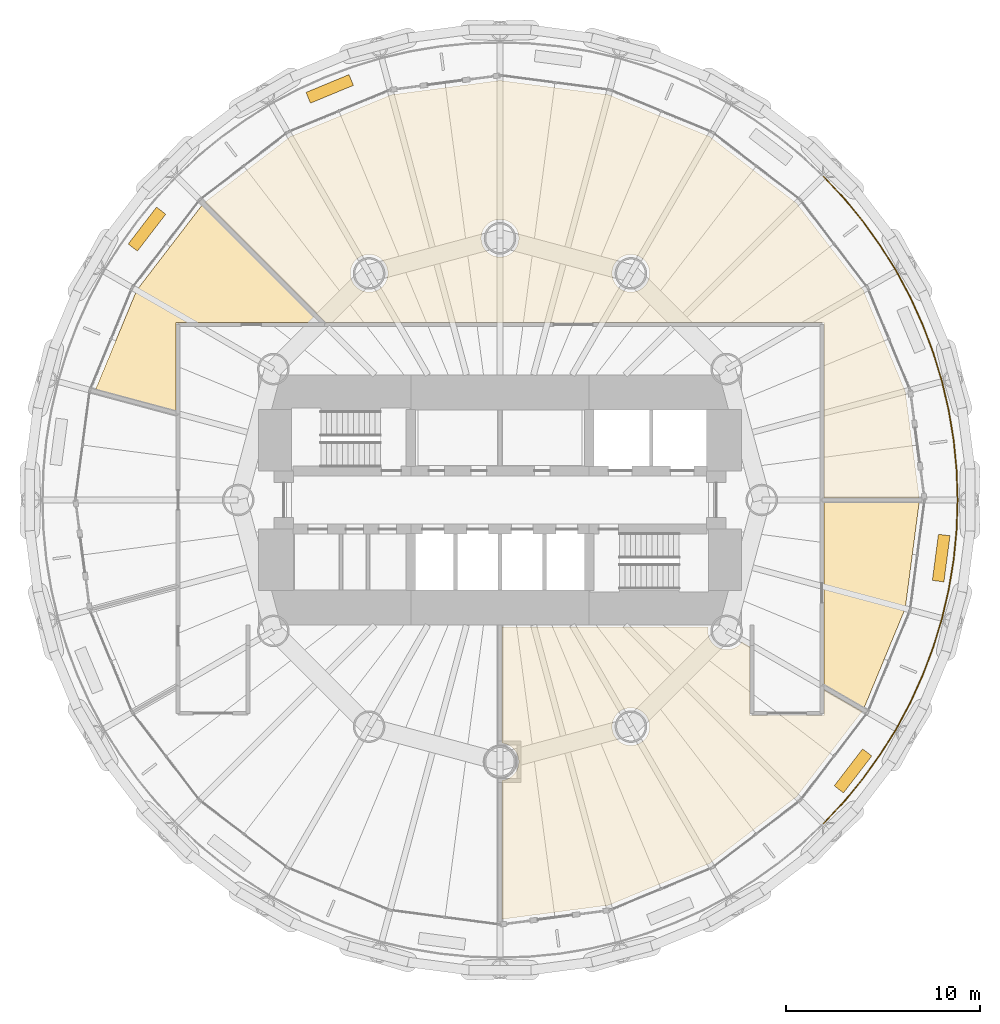
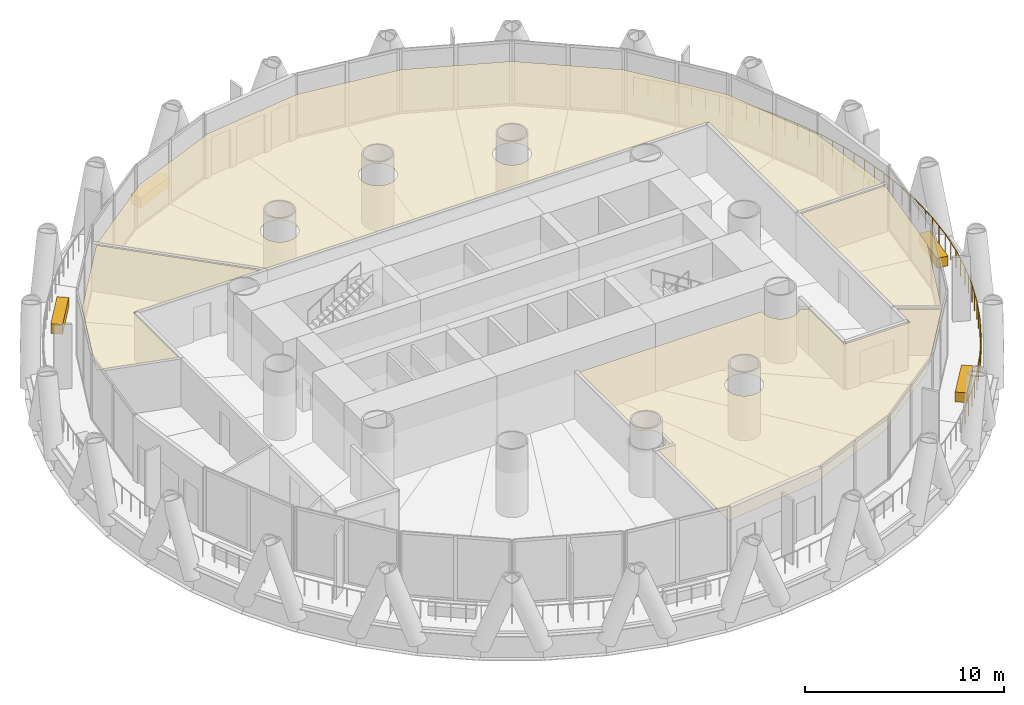
# One storey, part 14 of 15: 8 coverings, 1 railing.
"""IFC4 building model written with IfcOpenShell, lengths in metres."""

from ifc_helpers import new_model, si_unit, direction, frame, origin, origin_2d, place, context, subcontext, project, spatial, polyline, rectangle, circle, outline, extrude, material, layer, layer_set, type_object, element, save


model = new_model("IFC4")

# Units and contexts
model_context = context("Model", 3, precision=1e-05, world=origin(), true_north=direction((0.0, 1.0)))
body_context = subcontext(model_context, "Body", "Model", "MODEL_VIEW")
ifc_project = project(units=[si_unit("LENGTHUNIT", "METRE"), si_unit("AREAUNIT", "SQUARE_METRE"), si_unit("VOLUMEUNIT", "CUBIC_METRE"), si_unit("PLANEANGLEUNIT", "RADIAN"), si_unit("MASSUNIT", "GRAM", prefix="KILO")], contexts=[model_context])

# Site, building, storey
site_placement = place(None, origin())
site = spatial("IfcSite", under=ifc_project, at=site_placement, CompositionType="ELEMENT")
building_placement = place(site_placement, origin())
building = spatial("IfcBuilding", under=site, at=building_placement, Name="Qaws Media Tower", CompositionType="ELEMENT")
storey_placement = place(building_placement, frame((0.0, 0.0, 189.800048828125)))
storey = spatial("IfcBuildingStorey", under=building, at=storey_placement, Name="L43", CompositionType="ELEMENT", Elevation=189.800048828125)

# Railing
ifc_material_1 = material(Name="Stainless steel and glass guard", Category="steel")
railing_type = type_object("IfcRailingType", Name="Balcony guard 1100", PredefinedType="GUARDRAIL", material=ifc_material_1)
railing_placement = place(storey_placement, frame((76.687744140625, 33.312255859375, 0.0)))
element("IfcRailing", 1, at=railing_placement, inside=storey, type_object=railing_type, Name="GR1 balcony guard L43-4", PredefinedType="GUARDRAIL", context=body_context, shape_type="SweptSolid", body=[
    extrude(circle(Radius=0.02392578125, at=origin_2d()), frame((0.0, 0.0, 1.076171875), z_axis=(0.683567678195, 0.72988713465, 0.0), x_axis=(-0.72988713465, 0.683567678195, 0.0)), (0.0, 0.0, 1.0), 1.54443359375),
    extrude(circle(Radius=0.02392578125, at=origin_2d()), frame((1.0556640625, 1.127197265625, 1.076171875), z_axis=(0.634382016115, 0.773019700674, 0.0), x_axis=(-0.773019700674, 0.634382016115, 0.0)), (0.0, 0.0, 1.0), 1.54443359375),
    extrude(circle(Radius=0.02392578125, at=origin_2d()), frame((2.035400390625, 2.321044921875, 1.076171875), z_axis=(0.58258335011, 0.812770964156, 0.0), x_axis=(-0.812770964156, 0.58258335011, 0.0)), (0.0, 0.0, 1.0), 1.544189453125),
    extrude(circle(Radius=0.02392578125, at=origin_2d()), frame((2.93505859375, 3.576171875, 1.076171875), z_axis=(0.528008081501, 0.849239345456, 0.0), x_axis=(-0.849239345456, 0.528008081501, 0.0)), (0.0, 0.0, 1.0), 1.54443359375),
    extrude(circle(Radius=0.02392578125, at=origin_2d()), frame((3.75048828125, 4.8876953125, 1.076171875), z_axis=(0.471392110461, 0.881923737177, 0.0), x_axis=(-0.881923737177, 0.471392110461, 0.0)), (0.0, 0.0, 1.0), 1.54443359375),
    extrude(circle(Radius=0.02392578125, at=origin_2d()), frame((4.478515625, 6.249755859375, 1.076171875), z_axis=(0.412611510873, 0.91090709795, 0.0), x_axis=(-0.91090709795, 0.412611510873, 0.0)), (0.0, 0.0, 1.0), 1.54443359375),
    extrude(circle(Radius=0.02392578125, at=origin_2d()), frame((5.11572265625, 7.656494140625, 1.076171875), z_axis=(0.352370482159, 0.935860589673, 0.0), x_axis=(-0.935860589673, 0.352370482159, 0.0)), (0.0, 0.0, 1.0), 1.54443359375),
    extrude(circle(Radius=0.02392578125, at=origin_2d()), frame((5.659912109375, 9.101806640625, 1.076171875), z_axis=(0.290261878945, 0.956947251227, 0.0), x_axis=(-0.956947251227, 0.290261878945, 0.0)), (0.0, 0.0, 1.0), 1.544189453125),
    extrude(circle(Radius=0.02392578125, at=origin_2d()), frame((6.108154296875, 10.57958984375, 1.076171875), z_axis=(0.227029696794, 0.973887835828, 0.0), x_axis=(-0.973887835828, 0.227029696794, 0.0)), (0.0, 0.0, 1.0), 1.544189453125),
    extrude(circle(Radius=0.02392578125, at=origin_2d()), frame((6.458740234375, 12.08349609375, 1.076171875), z_axis=(0.162963426156, 0.986632110635, 0.0), x_axis=(-0.986632110635, 0.162963426156, 0.0)), (0.0, 0.0, 1.0), 1.544677734375),
    extrude(circle(Radius=0.02392578125, at=origin_2d()), frame((6.71044921875, 13.607421875, 1.076171875), z_axis=(0.098016610467, 0.995184778859, 0.0), x_axis=(-0.995184778859, 0.098016610467, 0.0)), (0.0, 0.0, 1.0), 1.544189453125),
    extrude(circle(Radius=0.02392578125, at=origin_2d()), frame((6.86181640625, 15.144287109375, 1.076171875), z_axis=(0.032725265376, 0.999464385061, 0.0), x_axis=(-0.999464385061, 0.032725265376, 0.0)), (0.0, 0.0, 1.0), 1.544189453125),
    extrude(circle(Radius=0.02392578125, at=origin_2d()), frame((6.912353515625, 16.687744140625, 1.076171875), z_axis=(-0.032725265376, 0.999464385061, 0.0), x_axis=(-0.999464385061, -0.032725265376, 0.0)), (0.0, 0.0, 1.0), 1.544189453125),
    extrude(circle(Radius=0.02392578125, at=origin_2d()), frame((6.86181640625, 18.231201171875, 1.076171875), z_axis=(-0.098016610467, 0.995184778859, 0.0), x_axis=(-0.995184778859, -0.098016610467, 0.0)), (0.0, 0.0, 1.0), 1.544189453125),
    extrude(circle(Radius=0.02392578125, at=origin_2d()), frame((6.71044921875, 19.76806640625, 1.076171875), z_axis=(-0.162963426156, 0.986632110635, 0.0), x_axis=(-0.986632110635, -0.162963426156, 0.0)), (0.0, 0.0, 1.0), 1.544677734375),
    extrude(circle(Radius=0.02392578125, at=origin_2d()), frame((6.458740234375, 21.2919921875, 1.076171875), z_axis=(-0.227029696794, 0.973887835828, 0.0), x_axis=(-0.973887835828, -0.227029696794, 0.0)), (0.0, 0.0, 1.0), 1.544189453125),
    extrude(circle(Radius=0.02392578125, at=origin_2d()), frame((6.108154296875, 22.7958984375, 1.076171875), z_axis=(-0.290261878945, 0.956947251227, 0.0), x_axis=(-0.956947251227, -0.290261878945, 0.0)), (0.0, 0.0, 1.0), 1.544189453125),
    extrude(circle(Radius=0.02392578125, at=origin_2d()), frame((5.659912109375, 24.273681640625, 1.076171875), z_axis=(-0.352370482159, 0.935860589673, 0.0), x_axis=(-0.935860589673, -0.352370482159, 0.0)), (0.0, 0.0, 1.0), 1.54443359375),
    extrude(circle(Radius=0.02392578125, at=origin_2d()), frame((5.11572265625, 25.718994140625, 1.076171875), z_axis=(-0.412611510873, 0.91090709795, 0.0), x_axis=(-0.91090709795, -0.412611510873, 0.0)), (0.0, 0.0, 1.0), 1.54443359375),
    extrude(circle(Radius=0.02392578125, at=origin_2d()), frame((4.478515625, 27.125732421875, 1.076171875), z_axis=(-0.471392110461, 0.881923737177, 0.0), x_axis=(-0.881923737177, -0.471392110461, 0.0)), (0.0, 0.0, 1.0), 1.54443359375),
    extrude(circle(Radius=0.02392578125, at=origin_2d()), frame((3.75048828125, 28.48779296875, 1.076171875), z_axis=(-0.528008081501, 0.849239345456, 0.0), x_axis=(-0.849239345456, -0.528008081501, 0.0)), (0.0, 0.0, 1.0), 1.54443359375),
    extrude(circle(Radius=0.02392578125, at=origin_2d()), frame((2.93505859375, 29.79931640625, 1.076171875), z_axis=(-0.58258335011, 0.812770964156, 0.0), x_axis=(-0.812770964156, -0.58258335011, 0.0)), (0.0, 0.0, 1.0), 1.544189453125),
    extrude(circle(Radius=0.02392578125, at=origin_2d()), frame((2.035400390625, 31.054443359375, 1.076171875), z_axis=(-0.634382016115, 0.773019700674, 0.0), x_axis=(-0.773019700674, -0.634382016115, 0.0)), (0.0, 0.0, 1.0), 1.54443359375),
    extrude(circle(Radius=0.02392578125, at=origin_2d()), frame((1.0556640625, 32.248291015625, 1.076171875), z_axis=(-0.683567678195, 0.72988713465, 0.0), x_axis=(-0.72988713465, -0.683567678195, 0.0)), (0.0, 0.0, 1.0), 1.54443359375),
    extrude(circle(Radius=0.02099609375, at=origin_2d()), origin(), (0.0, 0.0, 1.0), 1.052001953125),
    extrude(circle(Radius=0.02099609375, at=origin_2d()), frame((0.52783203125, 0.5634765625, 0.0)), (0.0, 0.0, 1.0), 1.052001953125),
    extrude(circle(Radius=0.02099609375, at=origin_2d()), frame((1.0556640625, 1.127197265625, 0.0)), (0.0, 0.0, 1.0), 1.052001953125),
    extrude(circle(Radius=0.02099609375, at=origin_2d()), frame((1.54541015625, 1.72412109375, 0.0)), (0.0, 0.0, 1.0), 1.052001953125),
    extrude(circle(Radius=0.02099609375, at=origin_2d()), frame((2.035400390625, 2.321044921875, 0.0)), (0.0, 0.0, 1.0), 1.052001953125),
    extrude(circle(Radius=0.02099609375, at=origin_2d()), frame((2.4853515625, 2.94873046875, 0.0)), (0.0, 0.0, 1.0), 1.052001953125),
    extrude(circle(Radius=0.02099609375, at=origin_2d()), frame((2.93505859375, 3.576171875, 0.0)), (0.0, 0.0, 1.0), 1.052001953125),
    extrude(circle(Radius=0.02099609375, at=origin_2d()), frame((3.3427734375, 4.23193359375, 0.0)), (0.0, 0.0, 1.0), 1.052001953125),
    extrude(circle(Radius=0.02099609375, at=origin_2d()), frame((3.75048828125, 4.8876953125, 0.0)), (0.0, 0.0, 1.0), 1.052001953125),
    extrude(circle(Radius=0.02099609375, at=origin_2d()), frame((4.114501953125, 5.56884765625, 0.0)), (0.0, 0.0, 1.0), 1.052001953125),
    extrude(circle(Radius=0.02099609375, at=origin_2d()), frame((4.478515625, 6.249755859375, 0.0)), (0.0, 0.0, 1.0), 1.052001953125),
    extrude(circle(Radius=0.02099609375, at=origin_2d()), frame((4.797119140625, 6.953125, 0.0)), (0.0, 0.0, 1.0), 1.052001953125),
    extrude(circle(Radius=0.02099609375, at=origin_2d()), frame((5.11572265625, 7.656494140625, 0.0)), (0.0, 0.0, 1.0), 1.052001953125),
    extrude(circle(Radius=0.02099609375, at=origin_2d()), frame((5.3876953125, 8.379150390625, 0.0)), (0.0, 0.0, 1.0), 1.052001953125),
    extrude(circle(Radius=0.02099609375, at=origin_2d()), frame((5.659912109375, 9.101806640625, 0.0)), (0.0, 0.0, 1.0), 1.052001953125),
    extrude(circle(Radius=0.02099609375, at=origin_2d()), frame((5.884033203125, 9.8408203125, 0.0)), (0.0, 0.0, 1.0), 1.052001953125),
    extrude(circle(Radius=0.02099609375, at=origin_2d()), frame((6.108154296875, 10.57958984375, 0.0)), (0.0, 0.0, 1.0), 1.052001953125),
    extrude(circle(Radius=0.02099609375, at=origin_2d()), frame((6.283447265625, 11.33154296875, 0.0)), (0.0, 0.0, 1.0), 1.052001953125),
    extrude(circle(Radius=0.02099609375, at=origin_2d()), frame((6.458740234375, 12.08349609375, 0.0)), (0.0, 0.0, 1.0), 1.052001953125),
    extrude(circle(Radius=0.02099609375, at=origin_2d()), frame((6.58447265625, 12.845458984375, 0.0)), (0.0, 0.0, 1.0), 1.052001953125),
    extrude(circle(Radius=0.02099609375, at=origin_2d()), frame((6.71044921875, 13.607421875, 0.0)), (0.0, 0.0, 1.0), 1.052001953125),
    extrude(circle(Radius=0.02099609375, at=origin_2d()), frame((6.7861328125, 14.3759765625, 0.0)), (0.0, 0.0, 1.0), 1.052001953125),
    extrude(circle(Radius=0.02099609375, at=origin_2d()), frame((6.86181640625, 15.144287109375, 0.0)), (0.0, 0.0, 1.0), 1.052001953125),
    extrude(circle(Radius=0.02099609375, at=origin_2d()), frame((6.88720703125, 15.916015625, 0.0)), (0.0, 0.0, 1.0), 1.052001953125),
    extrude(circle(Radius=0.02099609375, at=origin_2d()), frame((6.912353515625, 16.687744140625, 0.0)), (0.0, 0.0, 1.0), 1.052001953125),
    extrude(circle(Radius=0.02099609375, at=origin_2d()), frame((6.88720703125, 17.45947265625, 0.0)), (0.0, 0.0, 1.0), 1.052001953125),
    extrude(circle(Radius=0.02099609375, at=origin_2d()), frame((6.86181640625, 18.231201171875, 0.0)), (0.0, 0.0, 1.0), 1.052001953125),
    extrude(circle(Radius=0.02099609375, at=origin_2d()), frame((6.7861328125, 18.99951171875, 0.0)), (0.0, 0.0, 1.0), 1.052001953125),
    extrude(circle(Radius=0.02099609375, at=origin_2d()), frame((6.71044921875, 19.76806640625, 0.0)), (0.0, 0.0, 1.0), 1.052001953125),
    extrude(circle(Radius=0.02099609375, at=origin_2d()), frame((6.58447265625, 20.530029296875, 0.0)), (0.0, 0.0, 1.0), 1.052001953125),
    extrude(circle(Radius=0.02099609375, at=origin_2d()), frame((6.458740234375, 21.2919921875, 0.0)), (0.0, 0.0, 1.0), 1.052001953125),
    extrude(circle(Radius=0.02099609375, at=origin_2d()), frame((6.283447265625, 22.0439453125, 0.0)), (0.0, 0.0, 1.0), 1.052001953125),
    extrude(circle(Radius=0.02099609375, at=origin_2d()), frame((6.108154296875, 22.7958984375, 0.0)), (0.0, 0.0, 1.0), 1.052001953125),
    extrude(circle(Radius=0.02099609375, at=origin_2d()), frame((5.884033203125, 23.53466796875, 0.0)), (0.0, 0.0, 1.0), 1.052001953125),
    extrude(circle(Radius=0.02099609375, at=origin_2d()), frame((5.659912109375, 24.273681640625, 0.0)), (0.0, 0.0, 1.0), 1.052001953125),
    extrude(circle(Radius=0.02099609375, at=origin_2d()), frame((5.3876953125, 24.996337890625, 0.0)), (0.0, 0.0, 1.0), 1.052001953125),
    extrude(circle(Radius=0.02099609375, at=origin_2d()), frame((5.11572265625, 25.718994140625, 0.0)), (0.0, 0.0, 1.0), 1.052001953125),
    extrude(circle(Radius=0.02099609375, at=origin_2d()), frame((4.797119140625, 26.42236328125, 0.0)), (0.0, 0.0, 1.0), 1.052001953125),
    extrude(circle(Radius=0.02099609375, at=origin_2d()), frame((4.478515625, 27.125732421875, 0.0)), (0.0, 0.0, 1.0), 1.052001953125),
    extrude(circle(Radius=0.02099609375, at=origin_2d()), frame((4.114501953125, 27.806640625, 0.0)), (0.0, 0.0, 1.0), 1.052001953125),
    extrude(circle(Radius=0.02099609375, at=origin_2d()), frame((3.75048828125, 28.48779296875, 0.0)), (0.0, 0.0, 1.0), 1.052001953125),
    extrude(circle(Radius=0.02099609375, at=origin_2d()), frame((3.3427734375, 29.1435546875, 0.0)), (0.0, 0.0, 1.0), 1.052001953125),
    extrude(circle(Radius=0.02099609375, at=origin_2d()), frame((2.93505859375, 29.79931640625, 0.0)), (0.0, 0.0, 1.0), 1.052001953125),
    extrude(circle(Radius=0.02099609375, at=origin_2d()), frame((2.4853515625, 30.4267578125, 0.0)), (0.0, 0.0, 1.0), 1.052001953125),
    extrude(circle(Radius=0.02099609375, at=origin_2d()), frame((2.035400390625, 31.054443359375, 0.0)), (0.0, 0.0, 1.0), 1.052001953125),
    extrude(circle(Radius=0.02099609375, at=origin_2d()), frame((1.54541015625, 31.6513671875, 0.0)), (0.0, 0.0, 1.0), 1.052001953125),
    extrude(circle(Radius=0.02099609375, at=origin_2d()), frame((1.0556640625, 32.248291015625, 0.0)), (0.0, 0.0, 1.0), 1.052001953125),
    extrude(circle(Radius=0.02099609375, at=origin_2d()), frame((0.52783203125, 32.81201171875, 0.0)), (0.0, 0.0, 1.0), 1.052001953125),
    extrude(circle(Radius=0.02099609375, at=origin_2d()), frame((0.0, 33.37548828125, 0.0)), (0.0, 0.0, 1.0), 1.052001953125),
])

# Coverings
ifc_material_2 = material(Name="600 x 600 mineral fibre tiles in exposed grid, suspended", Category="mineral fibre")
ifc_layer_1 = layer(ifc_material_2, 0.02001953125)
ifc_layer_set_1 = layer_set([ifc_layer_1], Name="Mineral fibre tile ceiling 20")
covering_type_1 = type_object("IfcCoveringType", Name="Mineral fibre tile ceiling 20", PredefinedType="CEILING", material=ifc_layer_set_1)
covering_1_placement = place(storey_placement, frame((0.0, 0.0, 2.849853515625)))
element("IfcCovering", 2, at=covering_1_placement, inside=storey, type_object=covering_type_1, Name="CL1 ceiling L43-02 Marketing office", PredefinedType="CEILING", context=body_context, shape_type="SweptSolid", body=[
    extrude(outline(polyline([(49.182373046875, 68.73681640625), (54.400390625, 70.89794921875), (60.0, 71.63525390625), (65.599609375, 70.89794921875), (70.817626953125, 68.73681640625), (75.29833984375, 65.29833984375), (78.73681640625, 60.817626953125), (80.89794921875, 55.599609375), (81.620361328125, 50.112548828125), (76.71240234375, 50.112548828125), (76.71240234375, 59.16259765625), (50.99658203125, 59.16259765625), (44.79150390625, 65.367431640625), (49.182373046875, 68.73681640625)]), holes=[polyline([(54.14892578125, 61.319091796875), (54.189697265625, 61.439453125), (54.214599609375, 61.564208984375), (54.222900390625, 61.69140625), (54.214599609375, 61.818359375), (54.189697265625, 61.943115234375), (54.14892578125, 62.063720703125), (54.092529296875, 62.177734375), (54.02197265625, 62.28369140625), (53.93798828125, 62.37939453125), (53.84228515625, 62.46337890625), (53.736572265625, 62.533935546875), (53.622314453125, 62.59033203125), (53.501708984375, 62.631103515625), (53.376953125, 62.656005859375), (53.25, 62.664306640625), (53.123046875, 62.656005859375), (52.998291015625, 62.631103515625), (52.877685546875, 62.59033203125), (52.763427734375, 62.533935546875), (52.65771484375, 62.46337890625), (52.56201171875, 62.37939453125), (52.47802734375, 62.28369140625), (52.407470703125, 62.177734375), (52.35107421875, 62.063720703125), (52.310302734375, 61.943115234375), (52.285400390625, 61.818359375), (52.277099609375, 61.69140625), (52.285400390625, 61.564208984375), (52.310302734375, 61.439453125), (52.35107421875, 61.319091796875), (52.407470703125, 61.204833984375), (52.47802734375, 61.09912109375), (52.56201171875, 61.00341796875), (52.65771484375, 60.91943359375), (52.763427734375, 60.8486328125), (52.877685546875, 60.79248046875), (52.998291015625, 60.75146484375), (53.123046875, 60.726806640625), (53.25, 60.71826171875), (53.376953125, 60.726806640625), (53.501708984375, 60.75146484375), (53.622314453125, 60.79248046875), (53.736572265625, 60.8486328125), (53.84228515625, 60.91943359375), (53.93798828125, 61.00341796875), (54.02197265625, 61.09912109375), (54.092529296875, 61.204833984375), (54.14892578125, 61.319091796875)]), polyline([(60.89892578125, 63.127685546875), (60.939697265625, 63.248291015625), (60.964599609375, 63.373046875), (60.972900390625, 63.5), (60.964599609375, 63.626953125), (60.939697265625, 63.751708984375), (60.89892578125, 63.872314453125), (60.842529296875, 63.986572265625), (60.77197265625, 64.09228515625), (60.68798828125, 64.18798828125), (60.59228515625, 64.27197265625), (60.486572265625, 64.342529296875), (60.372314453125, 64.39892578125), (60.251708984375, 64.439697265625), (60.126953125, 64.464599609375), (60.0, 64.472900390625), (59.873046875, 64.464599609375), (59.748291015625, 64.439697265625), (59.627685546875, 64.39892578125), (59.513427734375, 64.342529296875), (59.40771484375, 64.27197265625), (59.31201171875, 64.18798828125), (59.22802734375, 64.09228515625), (59.157470703125, 63.986572265625), (59.10107421875, 63.872314453125), (59.060302734375, 63.751708984375), (59.035400390625, 63.626953125), (59.027099609375, 63.5), (59.035400390625, 63.373046875), (59.060302734375, 63.248291015625), (59.10107421875, 63.127685546875), (59.157470703125, 63.013427734375), (59.22802734375, 62.90771484375), (59.31201171875, 62.81201171875), (59.40771484375, 62.72802734375), (59.513427734375, 62.657470703125), (59.627685546875, 62.60107421875), (59.748291015625, 62.560302734375), (59.873046875, 62.535400390625), (60.0, 62.527099609375), (60.126953125, 62.535400390625), (60.251708984375, 62.560302734375), (60.372314453125, 62.60107421875), (60.486572265625, 62.657470703125), (60.59228515625, 62.72802734375), (60.68798828125, 62.81201171875), (60.77197265625, 62.90771484375), (60.842529296875, 63.013427734375), (60.89892578125, 63.127685546875)]), polyline([(67.64892578125, 61.319091796875), (67.689697265625, 61.439453125), (67.714599609375, 61.564208984375), (67.722900390625, 61.69140625), (67.714599609375, 61.818359375), (67.689697265625, 61.943115234375), (67.64892578125, 62.063720703125), (67.592529296875, 62.177734375), (67.52197265625, 62.28369140625), (67.43798828125, 62.37939453125), (67.34228515625, 62.46337890625), (67.236572265625, 62.533935546875), (67.122314453125, 62.59033203125), (67.001708984375, 62.631103515625), (66.876953125, 62.656005859375), (66.75, 62.664306640625), (66.623046875, 62.656005859375), (66.498291015625, 62.631103515625), (66.377685546875, 62.59033203125), (66.263427734375, 62.533935546875), (66.15771484375, 62.46337890625), (66.06201171875, 62.37939453125), (65.97802734375, 62.28369140625), (65.907470703125, 62.177734375), (65.85107421875, 62.063720703125), (65.810302734375, 61.943115234375), (65.785400390625, 61.818359375), (65.777099609375, 61.69140625), (65.785400390625, 61.564208984375), (65.810302734375, 61.439453125), (65.85107421875, 61.319091796875), (65.907470703125, 61.204833984375), (65.97802734375, 61.09912109375), (66.06201171875, 61.00341796875), (66.15771484375, 60.91943359375), (66.263427734375, 60.8486328125), (66.377685546875, 60.79248046875), (66.498291015625, 60.75146484375), (66.623046875, 60.726806640625), (66.75, 60.71826171875), (66.876953125, 60.726806640625), (67.001708984375, 60.75146484375), (67.122314453125, 60.79248046875), (67.236572265625, 60.8486328125), (67.34228515625, 60.91943359375), (67.43798828125, 61.00341796875), (67.52197265625, 61.09912109375), (67.592529296875, 61.204833984375), (67.64892578125, 61.319091796875)])]), origin(), (0.0, 0.0, 1.0), 0.02001953125),
])
covering_2_placement = place(storey_placement, frame((0.0, 0.0, 2.849853515625)))
element("IfcCovering", 3, at=covering_2_placement, inside=storey, type_object=covering_type_1, Name="CL1 ceiling L43-07 Content studio", PredefinedType="CEILING", context=body_context, shape_type="SweptSolid", body=[
    extrude(outline(polyline([(72.887451171875, 38.887451171875), (76.71240234375, 38.887451171875), (76.71240234375, 40.22119140625), (78.66748046875, 39.09228515625), (75.29833984375, 34.70166015625), (70.817626953125, 31.26318359375), (65.599609375, 29.10205078125), (60.112548828125, 28.379638671875), (60.112548828125, 35.534423828125), (60.126953125, 35.535400390625), (60.251708984375, 35.560302734375), (60.372314453125, 35.60107421875), (60.486572265625, 35.657470703125), (60.59228515625, 35.72802734375), (60.68798828125, 35.81201171875), (60.77197265625, 35.90771484375), (60.842529296875, 36.013427734375), (60.89892578125, 36.127685546875), (60.939697265625, 36.248291015625), (60.964599609375, 36.373046875), (60.972900390625, 36.5), (60.964599609375, 36.626953125), (60.939697265625, 36.751708984375), (60.89892578125, 36.872314453125), (60.842529296875, 36.986572265625), (60.77197265625, 37.09228515625), (60.68798828125, 37.18798828125), (60.59228515625, 37.27197265625), (60.486572265625, 37.342529296875), (60.372314453125, 37.39892578125), (60.251708984375, 37.439697265625), (60.126953125, 37.464599609375), (60.112548828125, 37.465576171875), (60.112548828125, 43.4375), (70.73876953125, 43.4375), (70.726806640625, 43.376953125), (70.71826171875, 43.25), (70.726806640625, 43.123046875), (70.75146484375, 42.998291015625), (70.79248046875, 42.877685546875), (70.8486328125, 42.763427734375), (70.91943359375, 42.65771484375), (71.00341796875, 42.56201171875), (71.09912109375, 42.47802734375), (71.204833984375, 42.407470703125), (71.319091796875, 42.35107421875), (71.439453125, 42.310302734375), (71.564208984375, 42.285400390625), (71.69140625, 42.277099609375), (71.818359375, 42.285400390625), (71.943115234375, 42.310302734375), (72.063720703125, 42.35107421875), (72.177734375, 42.407470703125), (72.28369140625, 42.47802734375), (72.37939453125, 42.56201171875), (72.46337890625, 42.65771484375), (72.471435546875, 42.669921875), (72.887451171875, 42.429443359375), (72.887451171875, 38.887451171875)]), holes=[polyline([(67.64892578125, 37.936279296875), (67.689697265625, 38.056884765625), (67.714599609375, 38.181640625), (67.722900390625, 38.30859375), (67.714599609375, 38.435791015625), (67.689697265625, 38.560546875), (67.64892578125, 38.680908203125), (67.592529296875, 38.795166015625), (67.52197265625, 38.90087890625), (67.43798828125, 38.99658203125), (67.34228515625, 39.08056640625), (67.236572265625, 39.1513671875), (67.122314453125, 39.20751953125), (67.001708984375, 39.24853515625), (66.876953125, 39.273193359375), (66.75, 39.28173828125), (66.623046875, 39.273193359375), (66.498291015625, 39.24853515625), (66.377685546875, 39.20751953125), (66.263427734375, 39.1513671875), (66.15771484375, 39.08056640625), (66.06201171875, 38.99658203125), (65.97802734375, 38.90087890625), (65.907470703125, 38.795166015625), (65.85107421875, 38.680908203125), (65.810302734375, 38.560546875), (65.785400390625, 38.435791015625), (65.777099609375, 38.30859375), (65.785400390625, 38.181640625), (65.810302734375, 38.056884765625), (65.85107421875, 37.936279296875), (65.907470703125, 37.822265625), (65.97802734375, 37.71630859375), (66.06201171875, 37.62060546875), (66.15771484375, 37.53662109375), (66.263427734375, 37.466064453125), (66.377685546875, 37.40966796875), (66.498291015625, 37.368896484375), (66.623046875, 37.343994140625), (66.75, 37.335693359375), (66.876953125, 37.343994140625), (67.001708984375, 37.368896484375), (67.122314453125, 37.40966796875), (67.236572265625, 37.466064453125), (67.34228515625, 37.53662109375), (67.43798828125, 37.62060546875), (67.52197265625, 37.71630859375), (67.592529296875, 37.822265625), (67.64892578125, 37.936279296875)])]), origin(), (0.0, 0.0, 1.0), 0.02001953125),
])
covering_3_placement = place(storey_placement, frame((0.0, 0.0, 2.849853515625)))
element("IfcCovering", 4, at=covering_3_placement, inside=storey, type_object=covering_type_1, Name="CL1 ceiling L43-08 Content studio", PredefinedType="CEILING", context=body_context, shape_type="SweptSolid", body=[
    extrude(outline(polyline([(80.89794921875, 44.400390625), (78.780029296875, 39.287109375), (76.71240234375, 40.48095703125), (76.71240234375, 49.887451171875), (81.620361328125, 49.887451171875), (80.89794921875, 44.400390625)])), origin(), (0.0, 0.0, 1.0), 0.02001953125),
])
ifc_material_3 = material(Name="Precast concrete planter with trailing planting", Category="concrete")
ifc_layer_2 = layer(ifc_material_3, 0.60009765625)
ifc_layer_set_2 = layer_set([ifc_layer_2], Name="Planter 2400x600")
covering_type_2 = type_object("IfcCoveringType", Name="Planter 2400x600", PredefinedType="USERDEFINED", material=ifc_layer_set_2)
for number, where, z_axis, x_axis, name in (
    (5, (51.217529296875, 71.203125, 0.0), (0.0, 0.0, 1.0), (-0.923879532511, -0.382683432365, 0.0), "PL1 balcony planter L43-04"),
    (6, (41.79248046875, 63.97119140625, 0.0), (0.0, 0.0, 1.0), (-0.608761429009, -0.793353340291, 0.0), "PL1 balcony planter L43-05"),
    (7, (78.20751953125, 36.02880859375, 0.0), (0.0, 0.0, 1.0), (0.608761429009, 0.793353340291, 0.0), "PL1 balcony planter L43-11"),
    (8, (82.753662109375, 47.00439453125, 0.0), (0.0, 0.0, 1.0), (0.13052619222, 0.991444861374, 0.0), "PL1 balcony planter L43-12"),
):
    element("IfcCovering", number, at=place(storey_placement, frame(where, z_axis=z_axis, x_axis=x_axis)), inside=storey, type_object=covering_type_2, Name=name, ObjectType="PLANTER", PredefinedType="USERDEFINED", context=body_context, shape_type="SweptSolid", body=[
        extrude(rectangle(XDim=2.39990234375, YDim=0.60009765625, at=origin_2d()), origin(), (0.0, 0.0, 1.0), 0.60009765625),
    ])
ifc_material_4 = material(Name="Two layers 12.5 moisture-resistant plasterboard on suspended metal furring", Category="gypsum")
ifc_layer_3 = layer(ifc_material_4, 0.02490234375)
ifc_layer_set_3 = layer_set([ifc_layer_3], Name="Plasterboard ceiling 25")
covering_type_3 = type_object("IfcCoveringType", Name="Plasterboard ceiling 25", PredefinedType="CEILING", material=ifc_layer_set_3)
covering_4_placement = place(storey_placement, frame((0.0, 0.0, 2.849853515625)))
element("IfcCovering", 9, at=covering_4_placement, inside=storey, type_object=covering_type_3, Name="CL2 ceiling L43-03 Brand studio", PredefinedType="CEILING", context=body_context, shape_type="SweptSolid", body=[
    extrude(outline(polyline([(41.26318359375, 60.817626953125), (44.632568359375, 65.20849609375), (50.678466796875, 59.16259765625), (43.28759765625, 59.16259765625), (43.28759765625, 54.594482421875), (39.1455078125, 55.704345703125), (41.26318359375, 60.817626953125)])), origin(), (0.0, 0.0, 1.0), 0.025146484375),
])

save(model, "model.ifc")
